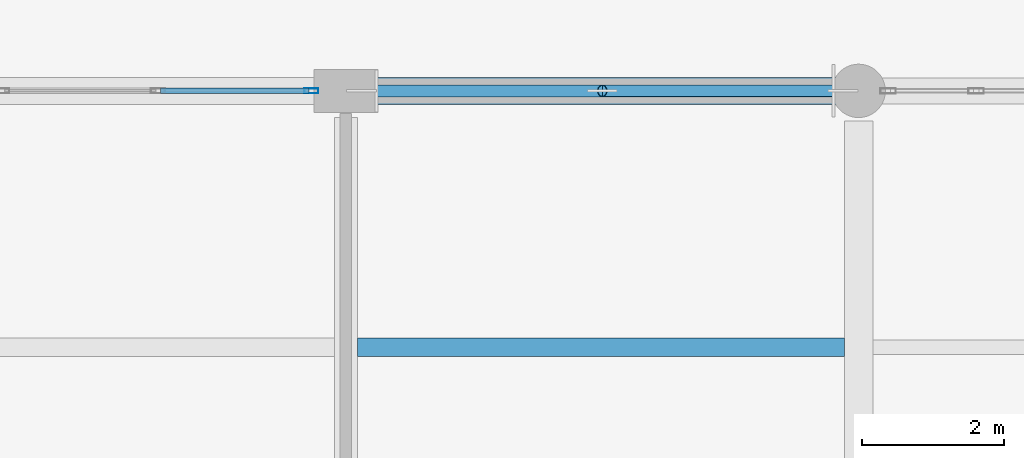
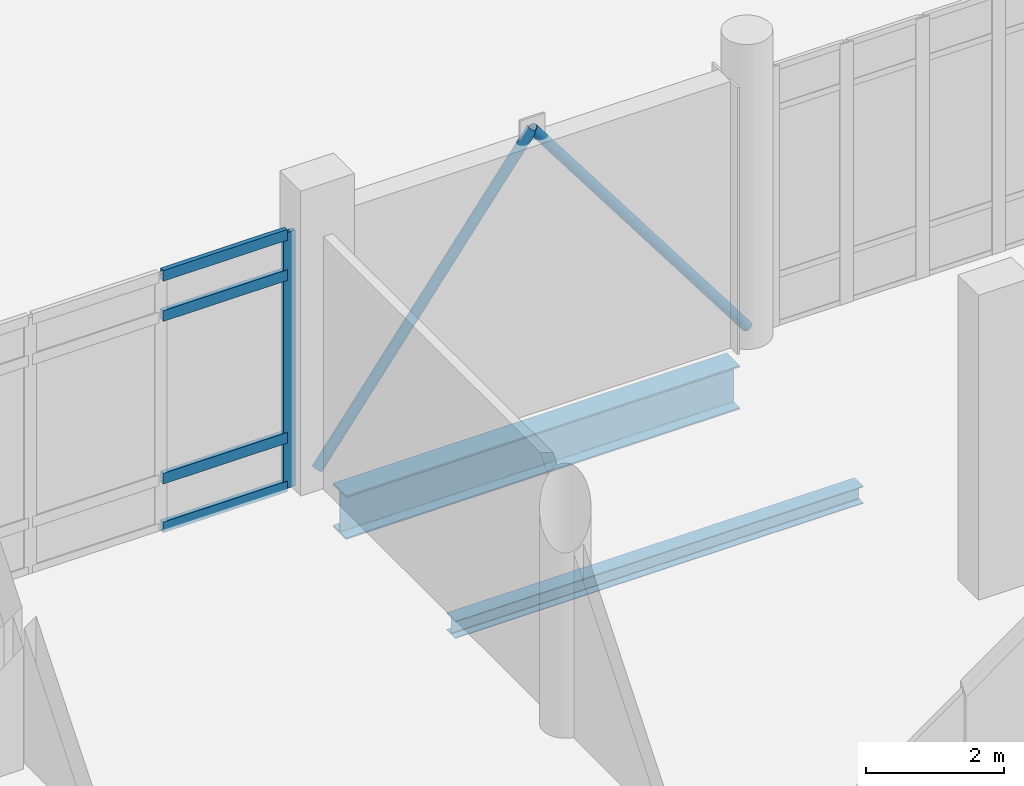
# One storey, part 113 of 229: 7 members, 2 beams, 1 element without a shape of its own.
"""IFC4 building model written with IfcOpenShell, lengths in metres."""

import ifcopenshell
import ifcopenshell.guid

model = None  # the IFC model being written
_history = None  # IfcOwnerHistory: only IFC2X3 demands one
_inside = {}  # id of a spatial element -> (the spatial element, [elements in it])
_under = {}  # id of a project, library or spatial element -> (it, [spatial elements below it])
_declared = {}  # id of a project -> (the project, [libraries it declares])
_typed = {}  # id of a type object -> (the type object, [elements of that type])
_made_of = {}  # id of a material, layer set ... -> (it, [elements and type objects made of it])


def new_model(schema):
    """Start an empty IFC model of exactly this schema.

    Asked for "IFC4X3", IfcOpenShell would pick the latest addendum, in which some entities
    have other attributes; the version numbers below select the first issue.
    IFC2X3 requires an IfcOwnerHistory on every rooted entity: one is made here for all.
    """
    global model, _history
    if schema == "IFC4X3":
        model = ifcopenshell.file(schema_version=(4, 3, 0, 0))
    else:
        model = ifcopenshell.file(schema=schema)
    _inside.clear()
    _under.clear()
    _declared.clear()
    _typed.clear()
    _made_of.clear()
    _history = None
    if model.schema == "IFC2X3":
        org = make("IfcOrganization", Name="unknown")
        user = make(
            "IfcPersonAndOrganization",
            ThePerson=make("IfcPerson", FamilyName="unknown"),
            TheOrganization=org,
        )
        app = make(
            "IfcApplication",
            ApplicationDeveloper=org,
            Version="unknown",
            ApplicationFullName="unknown",
            ApplicationIdentifier="unknown",
        )
        _history = make(
            "IfcOwnerHistory",
            OwningUser=user,
            OwningApplication=app,
            ChangeAction="ADDED",
            CreationDate=0,
        )
    return model


def make(cls, **values):
    """One entity of the class cls with the attributes given. An attribute that is None is left unset."""
    return model.create_entity(
        cls, **{name: value for name, value in values.items() if value is not None}
    )


def rooted(cls, **values):
    """An entity with a GlobalId (a new one), such as an element, a storey or a relation."""
    return make(cls, GlobalId=ifcopenshell.guid.new(), OwnerHistory=_history, **values)


def si_unit(unit_type, name, prefix=None):
    """IfcSIUnit, for example si_unit("LENGTHUNIT", "METRE", prefix="MILLI")."""
    return make("IfcSIUnit", UnitType=unit_type, Prefix=prefix, Name=name)


def assignment(units):
    """IfcUnitAssignment: the units of a project."""
    return None if units is None else make("IfcUnitAssignment", Units=units)


def point(xyz):
    """IfcCartesianPoint."""
    return None if xyz is None else make("IfcCartesianPoint", Coordinates=xyz)


def direction(xyz):
    """IfcDirection."""
    return None if xyz is None else make("IfcDirection", DirectionRatios=xyz)


def frame(location, z_axis=None, x_axis=None):
    """IfcAxis2Placement3D, a coordinate frame: its origin and axes. An axis left out is left unset."""
    return make(
        "IfcAxis2Placement3D",
        Location=point(location),
        Axis=direction(z_axis),
        RefDirection=direction(x_axis),
    )


def frame_2d(location, x_axis=None):
    """IfcAxis2Placement2D, a coordinate frame in the plane: its origin and x axis."""
    return make(
        "IfcAxis2Placement2D", Location=point(location), RefDirection=direction(x_axis)
    )


def origin():
    """The frame at (0, 0, 0) with its axes left unset."""
    return frame((0.0, 0.0, 0.0))


def origin_2d():
    """The frame at (0, 0) in the plane with its x axis left unset."""
    return frame_2d((0.0, 0.0))


def place(relative_to, where):
    """IfcLocalPlacement: puts the frame where relative to a parent placement (None: the world)."""
    return make(
        "IfcLocalPlacement", PlacementRelTo=relative_to, RelativePlacement=where
    )


def context(
    kind, dimensions, precision=None, world=None, true_north=None, identifier=None
):
    """IfcGeometricRepresentationContext, for example the 3D "Model" context."""
    return make(
        "IfcGeometricRepresentationContext",
        ContextIdentifier=identifier,
        ContextType=kind,
        CoordinateSpaceDimension=dimensions,
        Precision=precision,
        WorldCoordinateSystem=world,
        TrueNorth=true_north,
    )


def subcontext(parent, identifier, kind, view, scale=None):
    """IfcGeometricRepresentationSubContext, for example "Body" below "Model"."""
    return make(
        "IfcGeometricRepresentationSubContext",
        ContextIdentifier=identifier,
        ContextType=kind,
        ParentContext=parent,
        TargetScale=scale,
        TargetView=view,
    )


def project(units=None, contexts=None):
    """IfcProject with its units and contexts."""
    return rooted(
        "IfcProject",
        Name="project",
        RepresentationContexts=contexts,
        UnitsInContext=assignment(units),
    )


def spatial(cls, under=None, at=None, **own):
    """A site, building, storey or space (cls), placed at a placement, below another one or the project."""
    s = rooted(cls, ObjectPlacement=at, **own)
    if under is not None:
        _under.setdefault(under.id(), (under, []))[1].append(s)
    return s


def profile(cls, at=None, kind="AREA", **sizes):
    """A parametric profile (cls). Its sizes go by their IFC names, for example OverallWidth=200.0."""
    return make(cls, ProfileType=kind, Position=at, **sizes)


def hollow_rectangle(**sizes):
    """IfcRectangleHollowProfileDef."""
    return profile("IfcRectangleHollowProfileDef", **sizes)


def hollow_circle(**sizes):
    """IfcCircleHollowProfileDef."""
    return profile("IfcCircleHollowProfileDef", **sizes)


def i_section(**sizes):
    """IfcIShapeProfileDef."""
    return profile("IfcIShapeProfileDef", **sizes)


def extrude(swept, where, along, depth):
    """IfcExtrudedAreaSolid: the profile swept, set in the frame where, extruded along a direction by depth."""
    return make(
        "IfcExtrudedAreaSolid",
        SweptArea=swept,
        Position=where,
        ExtrudedDirection=direction(along),
        Depth=depth,
    )


def shape(context_of_items, identifier, shape_type, items):
    """IfcShapeRepresentation: the items that make up one representation, for example the "Body"."""
    return make(
        "IfcShapeRepresentation",
        ContextOfItems=context_of_items,
        RepresentationIdentifier=identifier,
        RepresentationType=shape_type,
        Items=items,
    )


def material(Name=None, Category=None):
    """IfcMaterial."""
    return make("IfcMaterial", Name=Name, Category=Category)


def layer(
    of_material, thickness, ventilated=None, Name=None, Category=None, Priority=None
):
    """IfcMaterialLayer: one layer of a wall or slab, of a material (None: an air gap)."""
    return make(
        "IfcMaterialLayer",
        Material=of_material,
        LayerThickness=thickness,
        IsVentilated=ventilated,
        Name=Name,
        Category=Category,
        Priority=Priority,
    )


def layer_set(layers, Name=None):
    """IfcMaterialLayerSet."""
    return make("IfcMaterialLayerSet", MaterialLayers=layers, LayerSetName=Name)


def material_profile(
    of_material, cross_section, Name=None, Category=None, Priority=None
):
    """IfcMaterialProfile: a cross section and its material."""
    return make(
        "IfcMaterialProfile",
        Name=Name,
        Material=of_material,
        Profile=cross_section,
        Priority=Priority,
        Category=Category,
    )


def profile_set(profiles, Name=None, composite=None):
    """IfcMaterialProfileSet."""
    return make(
        "IfcMaterialProfileSet",
        Name=Name,
        MaterialProfiles=profiles,
        CompositeProfile=composite,
    )


def made_of(thing, what):
    """Note that an element or type object is made of a material, layer set ...; save() writes the relation."""
    if what is not None:
        _made_of.setdefault(what.id(), (what, []))[1].append(thing)
    return thing


def type_object(cls, material=None, **own):
    """A type object (cls), such as IfcWallType, which elements share."""
    return made_of(rooted(cls, **own), material)


def element(
    cls,
    number,
    at=None,
    inside=None,
    cuts=None,
    type_object=None,
    material=None,
    context=None,
    identifier="Body",
    shape_type=None,
    held_by="IfcProductDefinitionShape",
    body=None,
    shapes=None,
    **own,
):
    """One element of the class cls, such as IfcWall. Its Tag is "e" and its number.

    at: its placement. inside: the storey or other place that contains it. cuts: it is an
    opening in that element (IfcRelVoidsElement). A single representation is given by context,
    identifier, shape_type and body (its items); several are given by shapes. held_by: the class
    of the entity that holds the representations. save() writes the other relations.
    """
    e = rooted(cls, Tag="e%d" % number, ObjectPlacement=at, **own)
    if body is not None:
        shapes = [shape(context, identifier, shape_type, body)]
    if shapes is not None:
        e.Representation = make(held_by, Representations=shapes)
    if inside is not None:
        _inside.setdefault(inside.id(), (inside, []))[1].append(e)
    if cuts is not None:
        rooted(
            "IfcRelVoidsElement", RelatingBuildingElement=cuts, RelatedOpeningElement=e
        )
    if type_object is not None:
        _typed.setdefault(type_object.id(), (type_object, []))[1].append(e)
    return made_of(e, material)


def aggregate(whole, parts):
    """IfcRelAggregates: a whole, such as a stair, and the parts it consists of."""
    return rooted("IfcRelAggregates", RelatingObject=whole, RelatedObjects=parts)


def save(model, path):
    """Write the relations noted so far, then the file.

    IfcRelAggregates (storeys below a building ...), IfcRelContainedInSpatialStructure (elements
    in a storey), IfcRelDefinesByType, IfcRelAssociatesMaterial and IfcRelDeclares: one each for
    every whole, place, type object, material and project.
    """
    for whole, parts in _under.values():
        aggregate(whole, parts)
    for where, things in _inside.values():
        rooted(
            "IfcRelContainedInSpatialStructure",
            RelatedElements=things,
            RelatingStructure=where,
        )
    for kind, things in _typed.values():
        rooted("IfcRelDefinesByType", RelatedObjects=things, RelatingType=kind)
    for what, things in _made_of.values():
        rooted("IfcRelAssociatesMaterial", RelatedObjects=things, RelatingMaterial=what)
    for by, libraries in _declared.values():
        rooted("IfcRelDeclares", RelatingContext=by, RelatedDefinitions=libraries)
    model.write(path)


model = new_model("IFC4")

# Units and contexts
model_context = context("Model", 3, precision=1e-05, world=origin(), true_north=direction((0.0, 1.0)))
body_context = subcontext(model_context, "Body", "Model", "MODEL_VIEW")
ifc_project = project(units=[si_unit("LENGTHUNIT", "METRE"), si_unit("AREAUNIT", "SQUARE_METRE"), si_unit("VOLUMEUNIT", "CUBIC_METRE"), si_unit("PLANEANGLEUNIT", "RADIAN"), si_unit("MASSUNIT", "GRAM", prefix="KILO")], contexts=[model_context])

# Site, building, storey
site_placement = place(None, origin())
site = spatial("IfcSite", under=ifc_project, at=site_placement, CompositionType="ELEMENT")
building_placement = place(site_placement, origin())
building = spatial("IfcBuilding", under=site, at=building_placement, Name="Calvrana Isthmian Art Gallery", CompositionType="ELEMENT")
storey_placement = place(building_placement, origin())
storey = spatial("IfcBuildingStorey", under=building, at=storey_placement, Name="L00", CompositionType="ELEMENT", Elevation=0.0)

# Beams
ifc_material_1 = material(Name="Steel ASTM A992 Gr 50", Category="steel")
ifc_material_profile_1 = material_profile(ifc_material_1, i_section(OverallWidth=0.381103515625, OverallDepth=0.77197265625, WebThickness=0.0166015625, FlangeThickness=0.027099609375, FilletRadius=0.02490234375, at=origin_2d()), Name="W30X173")
ifc_profile_set_1 = profile_set([ifc_material_profile_1], Name="Steel ASTM A992 Gr 50")
beam_type_1 = type_object("IfcBeamType", Name="BM-G-W30X173", PredefinedType="BEAM", material=ifc_profile_set_1)
beam_1_placement = place(storey_placement, frame((120.375, 98.39990234375, -0.740966796875), z_axis=(1.0, 0.0, 0.0), x_axis=(0.0, 1.0, 0.0)))
element("IfcBeam", 1, at=beam_1_placement, inside=storey, type_object=beam_type_1, Name="Girder X L00 16-17/N", PredefinedType="BEAM", context=body_context, shape_type="SweptSolid", body=[
    extrude(i_section(OverallWidth=0.381103515625, OverallDepth=0.77197265625, WebThickness=0.0166015625, FlangeThickness=0.027099609375, FilletRadius=0.02490234375, at=origin_2d()), origin(), (0.0, 0.0, 1.0), 6.60009765625),
])
ifc_material_profile_2 = material_profile(ifc_material_1, i_section(OverallWidth=0.25390625, OverallDepth=0.306884765625, WebThickness=0.0087890625, FlangeThickness=0.0146484375, FilletRadius=0.01611328125, at=origin_2d()), Name="W12X53")
ifc_profile_set_2 = profile_set([ifc_material_profile_2], Name="Steel ASTM A992 Gr 50")
beam_type_2 = type_object("IfcBeamType", Name="BM-J-W12X53", PredefinedType="JOIST", material=ifc_profile_set_2)
beam_2_placement = place(storey_placement, frame((120.16259765625, 94.800048828125, -0.508544921875), z_axis=(1.0, 0.0, 0.0), x_axis=(0.0, 1.0, 0.0)))
element("IfcBeam", 2, at=beam_2_placement, inside=storey, type_object=beam_type_2, Name="Composite joist L00 bay 15-12", PredefinedType="JOIST", context=body_context, shape_type="SweptSolid", body=[
    extrude(i_section(OverallWidth=0.25390625, OverallDepth=0.306884765625, WebThickness=0.0087890625, FlangeThickness=0.0146484375, FilletRadius=0.01611328125, at=origin_2d()), origin(), (0.0, 0.0, 1.0), 6.83740234375),
])

# Curtain wall, members
ifc_material_2 = material(Name="Anodized bronze aluminium 6063-T6", Category="aluminium")
ifc_layer = layer(ifc_material_2, 0.179931640625, Name="Anodized bronze aluminium 6063-T6")
ifc_layer_set = layer_set([ifc_layer], Name="Anodized bronze aluminium 6063-T6")
curtain_wall_type = type_object("IfcCurtainWallType", Name="CW-STICK-066X45", PredefinedType="NOTDEFINED", material=ifc_layer_set)
curtain_wall_placement = place(storey_placement, origin())
curtain_wall = element("IfcCurtainWall", 3, at=curtain_wall_placement, inside=storey, type_object=curtain_wall_type, Name="Curtain wall CW-039", PredefinedType="NOTDEFINED")
ifc_material_profile_3 = material_profile(ifc_material_2, hollow_rectangle(XDim=0.070068359375, YDim=0.199951171875, WallThickness=0.0048828125, at=origin_2d()), Name="CWM70X200")
ifc_profile_set_3 = profile_set([ifc_material_profile_3], Name="Anodized bronze aluminium 6063-T6")
member_type_1 = type_object("IfcMemberType", Name="CWM-CWM70X200", PredefinedType="MULLION", material=ifc_profile_set_3)
member_1_placement = place(storey_placement, frame((119.514892578125, 98.39990234375, 0.0), z_axis=(0.0, 0.0, 1.0), x_axis=(0.0, 1.0, 0.0)))
member_1 = element("IfcMember", 4, at=member_1_placement, type_object=member_type_1, Name="CW-039 mullion 4", PredefinedType="MULLION", context=body_context, shape_type="SweptSolid", body=[
    extrude(hollow_rectangle(XDim=0.070068359375, YDim=0.199951171875, WallThickness=0.0048828125, at=origin_2d()), origin(), (0.0, 0.0, 1.0), 4.531005859375),
])
ifc_material_profile_4 = material_profile(ifc_material_2, hollow_rectangle(XDim=0.074951171875, YDim=0.18994140625, WallThickness=0.00439453125, at=origin_2d()), Name="CWT75X190")
ifc_profile_set_4 = profile_set([ifc_material_profile_4], Name="Anodized bronze aluminium 6063-T6")
member_type_2 = type_object("IfcMemberType", Name="CWT-CWT75X190", PredefinedType="USERDEFINED", material=ifc_profile_set_4)
member_2_placement = place(storey_placement, frame((117.397216796875, 98.39990234375, 0.03759765625), z_axis=(1.0, 0.0, 0.0), x_axis=(0.0, 1.0, 0.0)))
member_2 = element("IfcMember", 5, at=member_2_placement, type_object=member_type_2, Name="CW-039 transom 3.1", ObjectType="TRANSOM", PredefinedType="USERDEFINED", context=body_context, shape_type="SweptSolid", body=[
    extrude(hollow_rectangle(XDim=0.074951171875, YDim=0.18994140625, WallThickness=0.00439453125, at=origin_2d()), origin(), (0.0, 0.0, 1.0), 2.082763671875),
])
member_3_placement = place(storey_placement, frame((117.397216796875, 98.39990234375, 0.89990234375), z_axis=(1.0, 0.0, 0.0), x_axis=(0.0, 1.0, 0.0)))
member_3 = element("IfcMember", 6, at=member_3_placement, type_object=member_type_2, Name="CW-039 transom 3.2", ObjectType="TRANSOM", PredefinedType="USERDEFINED", context=body_context, shape_type="SweptSolid", body=[
    extrude(hollow_rectangle(XDim=0.074951171875, YDim=0.18994140625, WallThickness=0.00439453125, at=origin_2d()), origin(), (0.0, 0.0, 1.0), 2.082763671875),
])
member_4_placement = place(storey_placement, frame((117.397216796875, 98.39990234375, 3.781005859375), z_axis=(1.0, 0.0, 0.0), x_axis=(0.0, 1.0, 0.0)))
member_4 = element("IfcMember", 7, at=member_4_placement, type_object=member_type_2, Name="CW-039 transom 3.3", ObjectType="TRANSOM", PredefinedType="USERDEFINED", context=body_context, shape_type="SweptSolid", body=[
    extrude(hollow_rectangle(XDim=0.074951171875, YDim=0.18994140625, WallThickness=0.00439453125, at=origin_2d()), origin(), (0.0, 0.0, 1.0), 2.082763671875),
])
member_5_placement = place(storey_placement, frame((117.397216796875, 98.39990234375, 4.493408203125), z_axis=(1.0, 0.0, 0.0), x_axis=(0.0, 1.0, 0.0)))
member_5 = element("IfcMember", 8, at=member_5_placement, type_object=member_type_2, Name="CW-039 transom 3.4", ObjectType="TRANSOM", PredefinedType="USERDEFINED", context=body_context, shape_type="SweptSolid", body=[
    extrude(hollow_rectangle(XDim=0.074951171875, YDim=0.18994140625, WallThickness=0.00439453125, at=origin_2d()), origin(), (0.0, 0.0, 1.0), 2.082763671875),
])
aggregate(curtain_wall, [member_1, member_2, member_3, member_4, member_5])

# Members
ifc_material_3 = material(Name="Steel ASTM A500 Gr C", Category="steel")
ifc_material_profile_5 = material_profile(ifc_material_3, hollow_circle(Radius=0.084228515625, WallThickness=0.009521484375, at=origin_2d()), Name="HSS168.3X9.5")
ifc_profile_set_5 = profile_set([ifc_material_profile_5], Name="Steel ASTM A500 Gr C")
member_type_3 = type_object("IfcMemberType", Name="MB-BR-CHS168", PredefinedType="BRACE", material=ifc_profile_set_5)
member_6_placement = place(storey_placement, frame((120.0, 98.39990234375, 0.14990234375), z_axis=(0.602651534334, 0.0, 0.798004466256), x_axis=(0.0, 1.0, 0.0)))
element("IfcMember", 9, at=member_6_placement, inside=storey, type_object=member_type_3, Name="Chevron lateral brace L00-13A", PredefinedType="BRACE", context=body_context, shape_type="SweptSolid", body=[
    extrude(hollow_circle(Radius=0.084228515625, WallThickness=0.009521484375, at=origin_2d()), origin(), (0.0, 0.0, 1.0), 5.973876953125),
])
member_7_placement = place(storey_placement, frame((127.199951171875, 98.39990234375, 0.14990234375), z_axis=(-0.602625507657, 0.0, 0.798024120889), x_axis=(0.0, -1.0, 0.0)))
element("IfcMember", 10, at=member_7_placement, inside=storey, type_object=member_type_3, Name="Chevron lateral brace L00-13B", PredefinedType="BRACE", context=body_context, shape_type="SweptSolid", body=[
    extrude(hollow_circle(Radius=0.084228515625, WallThickness=0.009521484375, at=origin_2d()), origin(), (0.0, 0.0, 1.0), 5.9736328125),
])

save(model, "model.ifc")
